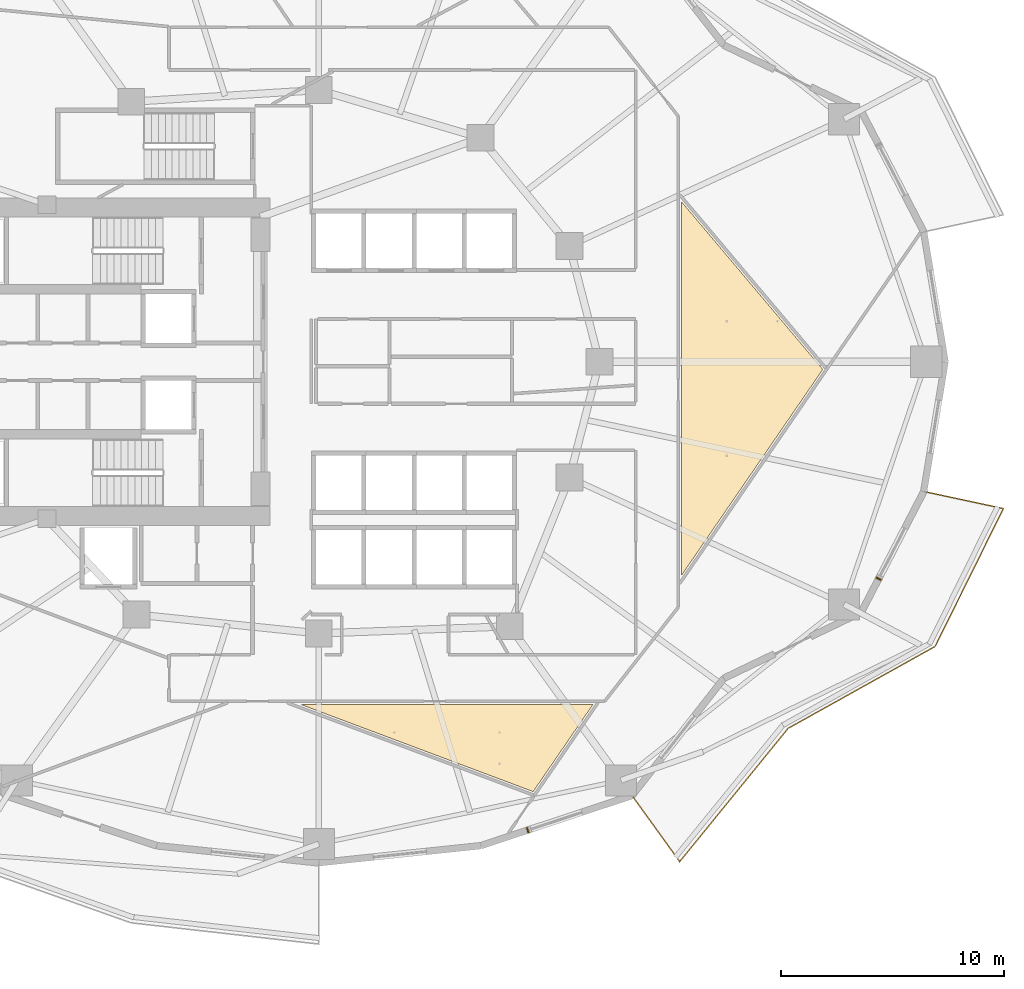
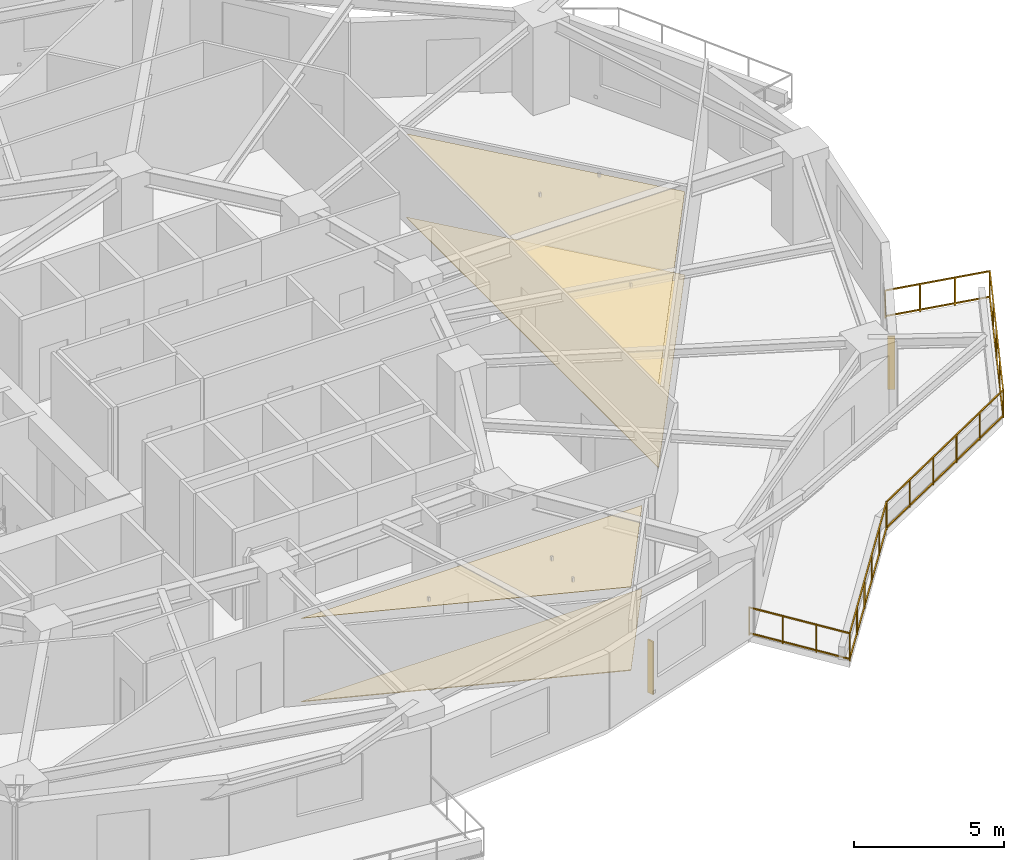
# One storey, part 17 of 19: 4 coverings, 2 shading devices, 1 railing.
"""IFC4 building model written with IfcOpenShell, lengths in metres."""

from ifc_helpers import new_model, si_unit, direction, frame, origin, origin_2d, place, context, subcontext, project, spatial, polyline, rectangle, outline, extrude, material, layer, layer_set, type_object, element, save


model = new_model("IFC4")

# Units and contexts
model_context = context("Model", 3, precision=1e-05, world=origin(), true_north=direction((0.0, 1.0)))
body_context = subcontext(model_context, "Body", "Model", "MODEL_VIEW")
ifc_project = project(units=[si_unit("LENGTHUNIT", "METRE"), si_unit("AREAUNIT", "SQUARE_METRE"), si_unit("VOLUMEUNIT", "CUBIC_METRE"), si_unit("PLANEANGLEUNIT", "RADIAN"), si_unit("MASSUNIT", "GRAM", prefix="KILO")], contexts=[model_context])

# Site, building, storey
site_placement = place(None, origin())
site = spatial("IfcSite", under=ifc_project, at=site_placement, CompositionType="ELEMENT")
building_placement = place(site_placement, origin())
building = spatial("IfcBuilding", under=site, at=building_placement, Name="Kolvaren Gate Tower and Convention Centre", CompositionType="ELEMENT")
storey_placement = place(building_placement, frame((0.0, 0.0, 38.050048828125)))
storey = spatial("IfcBuildingStorey", under=building, at=storey_placement, Name="L08", CompositionType="ELEMENT", Elevation=38.050048828125)

# Coverings
ifc_material_1 = material(Name="Perforated Mineral-Fibre Acoustic Ceiling Tile 18 mm", Category="gypsum")
ifc_layer_1 = layer(ifc_material_1, 0.01806640625)
ifc_layer_set_1 = layer_set([ifc_layer_1], Name="Perforated Mineral-Fibre Acoustic Ceiling Tile 18 mm")
covering_type_1 = type_object("IfcCoveringType", Name="ARCH-COV-CEIL-18", PredefinedType="CEILING", material=ifc_layer_set_1)
covering_1_placement = place(storey_placement, frame((0.0, 0.0, 3.389892578125)))
element("IfcCovering", 1, at=covering_1_placement, inside=storey, type_object=covering_type_1, Name="Catering Tea Pantry Acoustic Suspended Ceiling", PredefinedType="CEILING", context=body_context, shape_type="SweptSolid", body=[
    extrude(outline(polyline([(39.748046875, 7.696044921875), (29.330078125, 11.60595703125), (42.43310546875, 11.610107421875), (39.748046875, 7.696044921875)])), origin(), (0.0, 0.0, 1.0), 0.01806640625),
])
ifc_material_2 = material(Name="Perforated Mineral-Fibre Acoustic Ceiling Tile 24 mm", Category="gypsum")
ifc_layer_2 = layer(ifc_material_2, 0.02392578125)
ifc_layer_set_2 = layer_set([ifc_layer_2], Name="Perforated Mineral-Fibre Acoustic Ceiling Tile 24 mm")
covering_type_2 = type_object("IfcCoveringType", Name="ARCH-COV-CEIL-24", PredefinedType="CEILING", material=ifc_layer_set_2)
covering_2_placement = place(storey_placement, frame((0.0, 0.0, 3.389892578125)))
element("IfcCovering", 2, at=covering_2_placement, inside=storey, type_object=covering_type_2, Name="Strategy Huddle Meeting Room Acoustic Suspended Ceiling", PredefinedType="CEILING", context=body_context, shape_type="SweptSolid", body=[
    extrude(outline(polyline([(46.409912109375, 17.406982421875), (46.409912109375, 34.18798828125), (52.7548828125, 26.656005859375), (46.409912109375, 17.406982421875)])), origin(), (0.0, 0.0, 1.0), 0.024169921875),
])
ifc_material_3 = material(Name="Honed Sabana Limestone Terrazzo Flooring 30 mm", Category="masonry")
ifc_layer_3 = layer(ifc_material_3, 0.030029296875)
ifc_layer_set_3 = layer_set([ifc_layer_3], Name="Honed Sabana Limestone Terrazzo Flooring 30 mm")
covering_type_3 = type_object("IfcCoveringType", Name="ARCH-COV-FLR-30", PredefinedType="FLOORING", material=ifc_layer_set_3)
covering_3_placement = place(storey_placement, origin())
element("IfcCovering", 3, at=covering_3_placement, inside=storey, type_object=covering_type_3, Name="Catering Tea Pantry Interior Finish Flooring", PredefinedType="FLOORING", context=body_context, shape_type="SweptSolid", body=[
    extrude(outline(polyline([(39.748046875, 7.696044921875), (29.330078125, 11.60595703125), (42.43310546875, 11.610107421875), (39.748046875, 7.696044921875)])), origin(), (0.0, 0.0, 1.0), 0.030029296875),
])
covering_4_placement = place(storey_placement, origin())
element("IfcCovering", 4, at=covering_4_placement, inside=storey, type_object=covering_type_3, Name="Strategy Huddle Meeting Room Interior Finish Flooring", PredefinedType="FLOORING", context=body_context, shape_type="SweptSolid", body=[
    extrude(outline(polyline([(46.409912109375, 17.406982421875), (46.409912109375, 34.18798828125), (52.7548828125, 26.656005859375), (46.409912109375, 17.406982421875)])), origin(), (0.0, 0.0, 1.0), 0.030029296875),
])

# Railing
ifc_material_4 = material(Name="Brushed Stainless Steel Grade 316L", Category="steel")
railing_type = type_object("IfcRailingType", Name="ARCH-RL-GUARD-1150", PredefinedType="GUARDRAIL", material=ifc_material_4)
railing_placement = place(storey_placement, frame((44.1875, 7.514404296875, 0.0)))
element("IfcRailing", 5, at=railing_placement, inside=storey, type_object=railing_type, Name="Tower L08 Terrace Perimeter Guardrail GR-4", PredefinedType="GUARDRAIL", context=body_context, shape_type="SweptSolid", body=[
    extrude(rectangle(XDim=0.048095703125, YDim=0.048095703125, at=origin_2d()), frame((0.016357421875, -0.022705078125, 1.1259765625), z_axis=(0.585212870465, -0.810879705161, 0.0), x_axis=(0.810879705161, 0.585212870465, 0.0)), (0.0, 0.0, 1.0), 3.603759765625),
    extrude(rectangle(XDim=0.048095703125, YDim=0.048095703125, at=origin_2d()), frame((0.016357421875, -0.022705078125, 0.083984375), z_axis=(0.585212870465, -0.810879705161, 0.0), x_axis=(0.810879705161, 0.585212870465, 0.0)), (0.0, 0.0, 1.0), 3.603759765625),
    extrude(rectangle(XDim=0.048095703125, YDim=0.048095703125, at=origin_2d()), frame((2.159423828125, -2.946044921875, 1.1259765625), z_axis=(0.631012936188, 0.775772308324, 0.0), x_axis=(-0.775772308324, 0.631012936188, 0.0)), (0.0, 0.0, 1.0), 7.661376953125),
    extrude(rectangle(XDim=0.048095703125, YDim=0.048095703125, at=origin_2d()), frame((2.159423828125, -2.946044921875, 0.083984375), z_axis=(0.631012936188, 0.775772308324, 0.0), x_axis=(-0.775772308324, 0.631012936188, 0.0)), (0.0, 0.0, 1.0), 7.661376953125),
    extrude(rectangle(XDim=0.048095703125, YDim=0.048095703125, at=origin_2d()), frame((7.0361328125, 3.032958984375, 1.1259765625), z_axis=(0.873486390754, 0.486848564923, 0.0), x_axis=(-0.486848564923, 0.873486390754, 0.0)), (0.0, 0.0, 1.0), 7.506103515625),
    extrude(rectangle(XDim=0.048095703125, YDim=0.048095703125, at=origin_2d()), frame((7.0361328125, 3.032958984375, 0.083984375), z_axis=(0.873486390754, 0.486848564923, 0.0), x_axis=(-0.486848564923, 0.873486390754, 0.0)), (0.0, 0.0, 1.0), 7.506103515625),
    extrude(rectangle(XDim=0.048095703125, YDim=0.048095703125, at=origin_2d()), frame((13.629638671875, 6.72607421875, 1.1259765625), z_axis=(0.443578479433, 0.8962355341, 0.0), x_axis=(-0.8962355341, 0.443578479433, 0.0)), (0.0, 0.0, 1.0), 6.855224609375),
    extrude(rectangle(XDim=0.048095703125, YDim=0.048095703125, at=origin_2d()), frame((13.629638671875, 6.72607421875, 0.083984375), z_axis=(0.443578479433, 0.8962355341, 0.0), x_axis=(-0.8962355341, 0.443578479433, 0.0)), (0.0, 0.0, 1.0), 6.855224609375),
    extrude(rectangle(XDim=0.048095703125, YDim=0.048095703125, at=origin_2d()), frame((16.655517578125, 12.90087890625, 1.1259765625), z_axis=(-0.977788745232, 0.209592866525, 0.0), x_axis=(-0.209592866525, -0.977788745232, 0.0)), (0.0, 0.0, 1.0), 3.603759765625),
    extrude(rectangle(XDim=0.048095703125, YDim=0.048095703125, at=origin_2d()), frame((16.655517578125, 12.90087890625, 0.083984375), z_axis=(-0.977788745232, 0.209592866525, 0.0), x_axis=(-0.209592866525, -0.977788745232, 0.0)), (0.0, 0.0, 1.0), 3.603759765625),
    extrude(rectangle(XDim=0.0419921875, YDim=0.0419921875, at=origin_2d()), origin(), (0.0, 0.0, 1.0), 1.14990234375),
    extrude(rectangle(XDim=0.0419921875, YDim=0.0419921875, at=origin_2d()), frame((2.141845703125, -2.9677734375, 0.0)), (0.0, 0.0, 1.0), 1.14990234375),
    extrude(rectangle(XDim=0.0419921875, YDim=0.0419921875, at=origin_2d()), frame((0.7138671875, -0.9892578125, 0.0)), (0.0, 0.0, 1.0), 1.099853515625),
    extrude(rectangle(XDim=0.0419921875, YDim=0.0419921875, at=origin_2d()), frame((1.427978515625, -1.978515625, 0.0)), (0.0, 0.0, 1.0), 1.099853515625),
    extrude(rectangle(XDim=0.0419921875, YDim=0.0419921875, at=origin_2d()), frame((7.01171875, 3.019287109375, 0.0)), (0.0, 0.0, 1.0), 1.14990234375),
    extrude(rectangle(XDim=0.0419921875, YDim=0.0419921875, at=origin_2d()), frame((3.11572265625, -1.770263671875, 0.0)), (0.0, 0.0, 1.0), 1.099853515625),
    extrude(rectangle(XDim=0.0419921875, YDim=0.0419921875, at=origin_2d()), frame((4.08984375, -0.572998046875, 0.0)), (0.0, 0.0, 1.0), 1.099853515625),
    extrude(rectangle(XDim=0.0419921875, YDim=0.0419921875, at=origin_2d()), frame((5.063720703125, 0.62451171875, 0.0)), (0.0, 0.0, 1.0), 1.099853515625),
    extrude(rectangle(XDim=0.0419921875, YDim=0.0419921875, at=origin_2d()), frame((6.037841796875, 1.82177734375, 0.0)), (0.0, 0.0, 1.0), 1.099853515625),
    extrude(rectangle(XDim=0.0419921875, YDim=0.0419921875, at=origin_2d()), frame((13.6171875, 6.700927734375, 0.0)), (0.0, 0.0, 1.0), 1.14990234375),
    extrude(rectangle(XDim=0.0419921875, YDim=0.0419921875, at=origin_2d()), frame((8.332763671875, 3.755615234375, 0.0)), (0.0, 0.0, 1.0), 1.099853515625),
    extrude(rectangle(XDim=0.0419921875, YDim=0.0419921875, at=origin_2d()), frame((9.65380859375, 4.491943359375, 0.0)), (0.0, 0.0, 1.0), 1.099853515625),
    extrude(rectangle(XDim=0.0419921875, YDim=0.0419921875, at=origin_2d()), frame((10.97509765625, 5.228271484375, 0.0)), (0.0, 0.0, 1.0), 1.099853515625),
    extrude(rectangle(XDim=0.0419921875, YDim=0.0419921875, at=origin_2d()), frame((12.296142578125, 5.964599609375, 0.0)), (0.0, 0.0, 1.0), 1.099853515625),
    extrude(rectangle(XDim=0.0419921875, YDim=0.0419921875, at=origin_2d()), frame((16.682861328125, 12.89501953125, 0.0)), (0.0, 0.0, 1.0), 1.14990234375),
    extrude(rectangle(XDim=0.0419921875, YDim=0.0419921875, at=origin_2d()), frame((14.383544921875, 8.24951171875, 0.0)), (0.0, 0.0, 1.0), 1.099853515625),
    extrude(rectangle(XDim=0.0419921875, YDim=0.0419921875, at=origin_2d()), frame((15.14990234375, 9.7978515625, 0.0)), (0.0, 0.0, 1.0), 1.099853515625),
    extrude(rectangle(XDim=0.0419921875, YDim=0.0419921875, at=origin_2d()), frame((15.91650390625, 11.346435546875, 0.0)), (0.0, 0.0, 1.0), 1.099853515625),
    extrude(rectangle(XDim=0.0419921875, YDim=0.0419921875, at=origin_2d()), frame((13.104248046875, 13.662109375, 0.0)), (0.0, 0.0, 1.0), 1.14990234375),
    extrude(rectangle(XDim=0.0419921875, YDim=0.0419921875, at=origin_2d()), frame((15.489990234375, 13.150634765625, 0.0)), (0.0, 0.0, 1.0), 1.099853515625),
    extrude(rectangle(XDim=0.0419921875, YDim=0.0419921875, at=origin_2d()), frame((14.297119140625, 13.406494140625, 0.0)), (0.0, 0.0, 1.0), 1.099853515625),
])

# Shading devices
ifc_material_5 = material(Name="Kiln-Fired Bogota Terracotta Ceramic Louvre Profile", Category="masonry")
shading_device_type = type_object("IfcShadingDeviceType", Name="ARCH-SHD-FIN-180", PredefinedType="JALOUSIE", material=ifc_material_5)
for number, where, z_axis, x_axis, name in (
    (6, (39.5048828125, 5.962890625, 0.219970703125), (0.0, 0.0, 1.0), (0.949242826568, 0.314544203905, 0.0), "Ceramic Vertical Brise-Soleil Fin FN-L08-19"),
    (7, (55.26123046875, 17.255126953125, 0.219970703125), (0.0, 0.0, 1.0), (0.459789110083, 0.888028138208, 0.0), "Ceramic Vertical Brise-Soleil Fin FN-L08-22"),
):
    element("IfcShadingDevice", number, at=place(storey_placement, frame(where, z_axis=z_axis, x_axis=x_axis)), inside=storey, type_object=shading_device_type, Name=name, PredefinedType="JALOUSIE", context=body_context, shape_type="SweptSolid", body=[
        extrude(rectangle(XDim=0.06005859375, YDim=0.239990234375, at=origin_2d()), origin(), (0.0, 0.0, 1.0), 2.14990234375),
    ])

save(model, "model.ifc")
